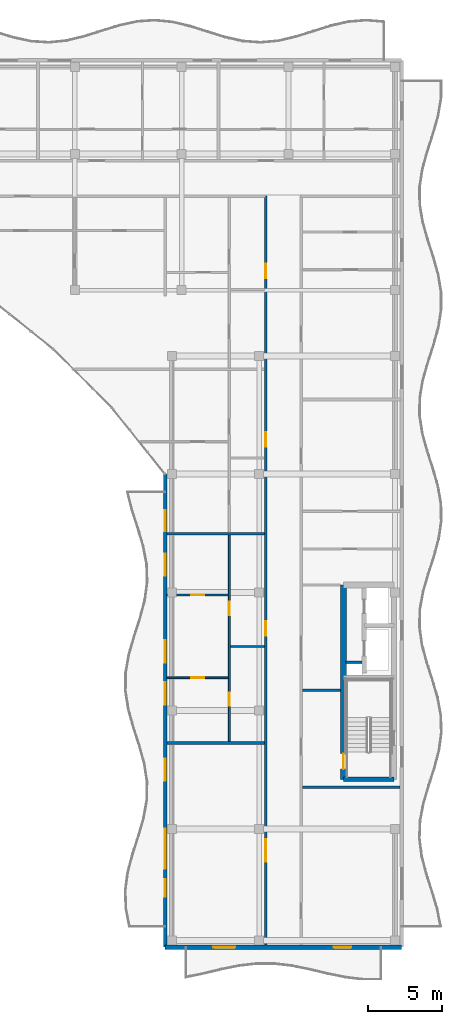
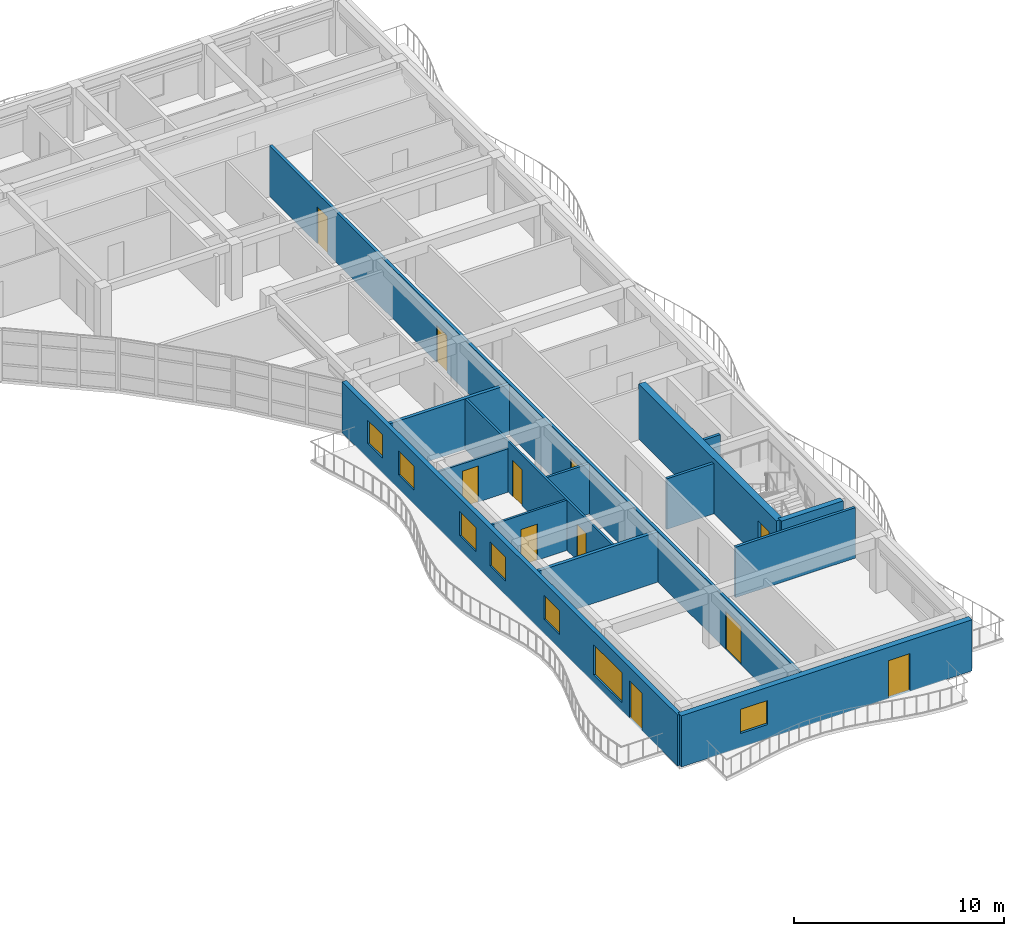
# One storey, part 42 of 71: 14 walls, 11 doors, 7 windows, 18 openings.
"""IFC4 building model written with IfcOpenShell, lengths in metres."""

from ifc_helpers import new_model, si_unit, direction, frame, frame_2d, origin, place, context, subcontext, project, spatial, rectangle, extrude, material, layer, layer_set, type_object, element, fill, save


model = new_model("IFC4")

# Units and contexts
model_context = context("Model", 3, precision=1e-05, world=origin(), true_north=direction((0.0, 1.0)))
body_context = subcontext(model_context, "Body", "Model", "MODEL_VIEW")
ifc_project = project(units=[si_unit("LENGTHUNIT", "METRE"), si_unit("AREAUNIT", "SQUARE_METRE"), si_unit("VOLUMEUNIT", "CUBIC_METRE"), si_unit("PLANEANGLEUNIT", "RADIAN"), si_unit("MASSUNIT", "GRAM", prefix="KILO")], contexts=[model_context])

# Site, building, storey
site_placement = place(None, origin())
site = spatial("IfcSite", under=ifc_project, at=site_placement, CompositionType="ELEMENT")
building_placement = place(site_placement, origin())
building = spatial("IfcBuilding", under=site, at=building_placement, Name="Keldmere Railside Commons", CompositionType="ELEMENT")
storey_placement = place(building_placement, frame((0.0, 0.0, 20.159912109375)))
storey = spatial("IfcBuildingStorey", under=building, at=storey_placement, Name="L06", CompositionType="ELEMENT", Elevation=20.159912109375)

# Walls
ifc_material_1 = material(Name="Acoustic Gypsum Board Partition", Category="gypsum")
ifc_layer_1 = layer(ifc_material_1, 0.179931640625, Name="Acoustic Demising Partition 180")
ifc_layer_set_1 = layer_set([ifc_layer_1], Name="Acoustic Gypsum Board Partition")
wall_type_1 = type_object("IfcWallType", Name="Acoustic Demising Partition 180", PredefinedType="PARTITIONING", material=ifc_layer_set_1)
for number, where, z_axis, x_axis, name in (
    (1, (168.1201171875, 69.81005859375, 0.0), (0.0, 0.0, 1.0), (1.0, 0.0, 0.0), "IW-1 IW-L06-1647"),
    (2, (168.1201171875, 83.969970703125, 0.0), (0.0, 0.0, 1.0), (1.0, 0.0, 0.0), "IW-1 IW-L06-1648"),
):
    element("IfcWall", number, at=place(storey_placement, frame(where, z_axis=z_axis, x_axis=x_axis)), inside=storey, type_object=wall_type_1, Name=name, PredefinedType="PARTITIONING", context=body_context, shape_type="SweptSolid", body=[
        extrude(rectangle(XDim=6.599853515625, YDim=0.179931640625, at=frame_2d((3.2998046875, 0.0))), origin(), (0.0, 0.0, 1.0), 2.93505859375),
    ])

# Wall, openings, doors
ifc_layer_2 = layer(ifc_material_1, 0.1201171875, Name="Apartment Interior Partition 120")
ifc_layer_set_2 = layer_set([ifc_layer_2], Name="Acoustic Gypsum Board Partition")
wall_type_2 = type_object("IfcWallType", Name="Apartment Interior Partition 120", PredefinedType="PARTITIONING", material=ifc_layer_set_2)
wall_1_placement = place(storey_placement, frame((172.340087890625, 69.89990234375, 0.0), z_axis=(0.0, 0.0, 1.0), x_axis=(0.0, 1.0, 0.0)))
wall_1 = element("IfcWall", 3, at=wall_1_placement, inside=storey, type_object=wall_type_2, Name="IW-4 IW-L06-1650", PredefinedType="PARTITIONING", context=body_context, shape_type="SweptSolid", body=[
    extrude(rectangle(XDim=13.97998046875, YDim=0.1201171875, at=frame_2d((6.989990234375, 0.0))), origin(), (0.0, 0.0, 1.0), 2.93505859375),
])
opening_1_placement = place(wall_1_placement, frame((2.443359375, 0.0, 0.0)))
opening_1 = element("IfcOpeningElement", 4, at=opening_1_placement, cuts=wall_1, Name="Opening ID-04", PredefinedType="OPENING", context=body_context, shape_type="SweptSolid", body=[
    extrude(rectangle(XDim=0.860107421875, YDim=2.10009765625, at=frame_2d((0.43017578125, 1.050048828125))), frame((0.0, 0.070068359375, 0.0), z_axis=(0.0, -1.0, 0.0), x_axis=(1.0, 0.0, 0.0)), (0.0, 0.0, 1.0), 0.14013671875),
])
opening_2_placement = place(wall_1_placement, frame((8.5439453125, 0.0, 0.0)))
opening_2 = element("IfcOpeningElement", 5, at=opening_2_placement, cuts=wall_1, Name="Opening ID-03", PredefinedType="OPENING", context=body_context, shape_type="SweptSolid", body=[
    extrude(rectangle(XDim=0.919921875, YDim=2.10009765625, at=frame_2d((0.4599609375, 1.050048828125))), frame((0.0, 0.070068359375, 0.0), z_axis=(0.0, -1.0, 0.0), x_axis=(1.0, 0.0, 0.0)), (0.0, 0.0, 1.0), 0.14013671875),
])
ifc_material_2 = material(Name="Engineered Oak Timber", Category="wood")
door_type_1 = type_object("IfcDoorType", Name="Apartment Bathroom Door 860x2100", OperationType="NOTDEFINED", PredefinedType="DOOR", material=ifc_material_2)
door_1_placement = place(opening_1_placement, origin())
door_1 = element("IfcDoor", 6, at=door_1_placement, inside=storey, type_object=door_type_1, Name="ID-04 IDR-L06-1491", OperationType="SINGLE_SWING_LEFT", OverallHeight=2.10009765625, OverallWidth=0.860107421875, PredefinedType="DOOR", context=body_context, shape_type="SweptSolid", body=[
    extrude(rectangle(XDim=0.860107421875, YDim=2.10009765625, at=frame_2d((0.43017578125, 1.050048828125))), frame((0.0, 0.02490234375, 0.0), z_axis=(0.0, -1.0, 0.0), x_axis=(1.0, 0.0, 0.0)), (0.0, 0.0, 1.0), 0.050048828125),
])
fill(opening_1, door_1)
door_type_2 = type_object("IfcDoorType", Name="Kitchen Pocket-Frame Swing Door 920x2100", OperationType="NOTDEFINED", PredefinedType="DOOR", material=ifc_material_2)
door_2_placement = place(opening_2_placement, origin())
door_2 = element("IfcDoor", 7, at=door_2_placement, inside=storey, type_object=door_type_2, Name="ID-03 IDR-L06-1492", OperationType="SINGLE_SWING_RIGHT", OverallHeight=2.10009765625, OverallWidth=0.919921875, PredefinedType="DOOR", context=body_context, shape_type="SweptSolid", body=[
    extrude(rectangle(XDim=0.919921875, YDim=2.10009765625, at=frame_2d((0.4599609375, 1.050048828125))), frame((0.0, 0.02490234375, 0.0), z_axis=(0.0, -1.0, 0.0), x_axis=(1.0, 0.0, 0.0)), (0.0, 0.0, 1.0), 0.050048828125),
])
fill(opening_2, door_2)

# Wall, opening, door
wall_2_placement = place(storey_placement, frame((168.1201171875, 74.22998046875, 0.0), z_axis=(0.0, 0.0, 1.0), x_axis=(1.0, 0.0, 0.0)))
wall_2 = element("IfcWall", 8, at=wall_2_placement, inside=storey, type_object=wall_type_2, Name="IW-4 IW-L06-1652", PredefinedType="PARTITIONING", context=body_context, shape_type="SweptSolid", body=[
    extrude(rectangle(XDim=4.159912109375, YDim=0.1201171875, at=frame_2d((2.080078125, 0.0))), origin(), (0.0, 0.0, 1.0), 2.93505859375),
])
opening_3_placement = place(wall_2_placement, frame((1.6298828125, 0.0, 0.0)))
opening_3 = element("IfcOpeningElement", 9, at=opening_3_placement, cuts=wall_2, Name="Opening ID-01", PredefinedType="OPENING", context=body_context, shape_type="SweptSolid", body=[
    extrude(rectangle(XDim=0.89990234375, YDim=2.10009765625, at=frame_2d((0.449951171875, 1.050048828125))), frame((0.0, 0.070068359375, 0.0), z_axis=(0.0, -1.0, 0.0), x_axis=(1.0, 0.0, 0.0)), (0.0, 0.0, 1.0), 0.14013671875),
])
door_type_3 = type_object("IfcDoorType", Name="Primary Bedroom Door 900x2100", OperationType="NOTDEFINED", PredefinedType="DOOR", material=ifc_material_2)
door_3_placement = place(opening_3_placement, origin())
door_3 = element("IfcDoor", 10, at=door_3_placement, inside=storey, type_object=door_type_3, Name="ID-01 IDR-L06-1494", OperationType="SINGLE_SWING_RIGHT", OverallHeight=2.10009765625, OverallWidth=0.89990234375, PredefinedType="DOOR", context=body_context, shape_type="SweptSolid", body=[
    extrude(rectangle(XDim=0.89990234375, YDim=2.10009765625, at=frame_2d((0.449951171875, 1.050048828125))), frame((0.0, 0.02490234375, 0.0), z_axis=(0.0, -1.0, 0.0), x_axis=(1.0, 0.0, 0.0)), (0.0, 0.0, 1.0), 0.050048828125),
])
fill(opening_3, door_3)

wall_3_placement = place(storey_placement, frame((168.1201171875, 79.830078125, 0.0), z_axis=(0.0, 0.0, 1.0), x_axis=(1.0, 0.0, 0.0)))
wall_3 = element("IfcWall", 11, at=wall_3_placement, inside=storey, type_object=wall_type_2, Name="IW-4 IW-L06-1653", PredefinedType="PARTITIONING", context=body_context, shape_type="SweptSolid", body=[
    extrude(rectangle(XDim=4.159912109375, YDim=0.1201171875, at=frame_2d((2.080078125, 0.0))), origin(), (0.0, 0.0, 1.0), 2.530029296875),
])
opening_4_placement = place(wall_3_placement, frame((1.639892578125, 0.0, 0.0)))
opening_4 = element("IfcOpeningElement", 12, at=opening_4_placement, cuts=wall_3, Name="Opening ID-02", PredefinedType="OPENING", context=body_context, shape_type="SweptSolid", body=[
    extrude(rectangle(XDim=0.8798828125, YDim=2.10009765625, at=frame_2d((0.43994140625, 1.050048828125))), frame((0.0, 0.070068359375, 0.0), z_axis=(0.0, -1.0, 0.0), x_axis=(1.0, 0.0, 0.0)), (0.0, 0.0, 1.0), 0.14013671875),
])
door_type_4 = type_object("IfcDoorType", Name="Secondary Bedroom Door 880x2100", OperationType="NOTDEFINED", PredefinedType="DOOR", material=ifc_material_2)
door_4_placement = place(opening_4_placement, origin())
door_4 = element("IfcDoor", 13, at=door_4_placement, inside=storey, type_object=door_type_4, Name="ID-02 IDR-L06-1495", OperationType="SINGLE_SWING_LEFT", OverallHeight=2.10009765625, OverallWidth=0.8798828125, PredefinedType="DOOR", context=body_context, shape_type="SweptSolid", body=[
    extrude(rectangle(XDim=0.8798828125, YDim=2.10009765625, at=frame_2d((0.43994140625, 1.050048828125))), frame((0.0, 0.02490234375, 0.0), z_axis=(0.0, -1.0, 0.0), x_axis=(1.0, 0.0, 0.0)), (0.0, 0.0, 1.0), 0.050048828125),
])
fill(opening_4, door_4)

ifc_material_3 = material(Name="Concrete H-40 (C40/50)", Category="concrete")
ifc_layer_3 = layer(ifc_material_3, 0.3798828125, Name="Core Shear Wall 380")
ifc_layer_set_3 = layer_set([ifc_layer_3], Name="Concrete H-40 (C40/50)")
wall_type_3 = type_object("IfcWallType", Name="Core Shear Wall 380", PredefinedType="SHEAR", material=ifc_layer_set_3)
wall_4_placement = place(storey_placement, frame((180.06005859375, 67.35009765625, 0.0), z_axis=(0.0, 0.0, 1.0), x_axis=(0.0, 1.0, 0.0)))
wall_4 = element("IfcWall", 14, at=wall_4_placement, inside=storey, type_object=wall_type_3, Name="CW-CORE COREAW-L06-0780", PredefinedType="SHEAR", context=body_context, shape_type="SweptSolid", body=[
    extrude(rectangle(XDim=13.14990234375, YDim=0.3798828125, at=frame_2d((6.574951171875, 0.0))), origin(), (0.0, 0.0, 1.0), 3.2001953125),
])
opening_5_placement = place(wall_4_placement, frame((0.699951171875, 0.0, 0.0)))
opening_5 = element("IfcOpeningElement", 15, at=opening_5_placement, cuts=wall_4, Name="Opening FD-1", PredefinedType="OPENING", context=body_context, shape_type="SweptSolid", body=[
    extrude(rectangle(XDim=1.050048828125, YDim=2.14990234375, at=frame_2d((0.52490234375, 1.074951171875))), frame((0.0, 0.199951171875, 0.0), z_axis=(0.0, -1.0, 0.0), x_axis=(1.0, 0.0, 0.0)), (0.0, 0.0, 1.0), 0.39990234375),
])
ifc_material_4 = material(Name="Steel F-24 (S235)", Category="steel")
door_type_5 = type_object("IfcDoorType", Name="Stair Core Fire Door 1050x2150", OperationType="NOTDEFINED", PredefinedType="DOOR", material=ifc_material_4)
door_5_placement = place(opening_5_placement, origin())
door_5 = element("IfcDoor", 16, at=door_5_placement, inside=storey, type_object=door_type_5, Name="FD-1 A1 L06", OperationType="SINGLE_SWING_LEFT", OverallHeight=2.14990234375, OverallWidth=1.050048828125, PredefinedType="DOOR", context=body_context, shape_type="SweptSolid", body=[
    extrude(rectangle(XDim=1.050048828125, YDim=2.14990234375, at=frame_2d((0.52490234375, 1.074951171875))), frame((0.0, 0.02490234375, 0.0), z_axis=(0.0, -1.0, 0.0), x_axis=(1.0, 0.0, 0.0)), (0.0, 0.0, 1.0), 0.050048828125),
])
fill(opening_5, door_5)

# Wall, openings, doors
ifc_layer_4 = layer(ifc_material_1, 0.159912109375, Name="Corridor Fire Partition 160")
ifc_layer_set_4 = layer_set([ifc_layer_4], Name="Acoustic Gypsum Board Partition")
wall_type_4 = type_object("IfcWallType", Name="Corridor Fire Partition 160", PredefinedType="PARTITIONING", material=ifc_layer_set_4)
wall_5_placement = place(storey_placement, frame((174.800048828125, 56.159912109375, 0.0), z_axis=(0.0, 0.0, 1.0), x_axis=(0.0, 1.0, 0.0)))
wall_5 = element("IfcWall", 17, at=wall_5_placement, inside=storey, type_object=wall_type_4, Name="IW-2 IW-L06-1639", PredefinedType="PARTITIONING", context=body_context, shape_type="SweptSolid", body=[
    extrude(rectangle(XDim=50.64013671875, YDim=0.159912109375, at=frame_2d((25.320068359375, 0.0))), origin(), (0.0, 0.0, 1.0), 2.93505859375),
])
opening_6_placement = place(wall_5_placement, frame((5.6298828125, 0.0, 0.0)))
opening_6 = element("IfcOpeningElement", 18, at=opening_6_placement, cuts=wall_5, Name="Opening ID-07", PredefinedType="OPENING", context=body_context, shape_type="SweptSolid", body=[
    extrude(rectangle(XDim=1.5, YDim=2.199951171875, at=frame_2d((0.75, 1.10009765625))), frame((0.0, 0.08984375, 0.0), z_axis=(0.0, -1.0, 0.0), x_axis=(1.0, 0.0, 0.0)), (0.0, 0.0, 1.0), 0.179931640625),
])
opening_7_placement = place(wall_5_placement, frame((20.919921875, 0.0, 0.0)))
opening_7 = element("IfcOpeningElement", 19, at=opening_7_placement, cuts=wall_5, Name="Opening FD-7", PredefinedType="OPENING", context=body_context, shape_type="SweptSolid", body=[
    extrude(rectangle(XDim=0.97998046875, YDim=2.14990234375, at=frame_2d((0.489990234375, 1.074951171875))), frame((0.0, 0.08984375, 0.0), z_axis=(0.0, -1.0, 0.0), x_axis=(1.0, 0.0, 0.0)), (0.0, 0.0, 1.0), 0.179931640625),
])
opening_8_placement = place(wall_5_placement, frame((33.679931640625, 0.0, 0.0)))
opening_8 = element("IfcOpeningElement", 20, at=opening_8_placement, cuts=wall_5, Name="Opening FD-7", PredefinedType="OPENING", context=body_context, shape_type="SweptSolid", body=[
    extrude(rectangle(XDim=0.97998046875, YDim=2.14990234375, at=frame_2d((0.489990234375, 1.074951171875))), frame((0.0, 0.08984375, 0.0), z_axis=(0.0, -1.0, 0.0), x_axis=(1.0, 0.0, 0.0)), (0.0, 0.0, 1.0), 0.179931640625),
])
opening_9_placement = place(wall_5_placement, frame((45.080078125, 0.0, 0.0)))
opening_9 = element("IfcOpeningElement", 21, at=opening_9_placement, cuts=wall_5, Name="Opening FD-7", PredefinedType="OPENING", context=body_context, shape_type="SweptSolid", body=[
    extrude(rectangle(XDim=0.97998046875, YDim=2.14990234375, at=frame_2d((0.489990234375, 1.074951171875))), frame((0.0, 0.08984375, 0.0), z_axis=(0.0, -1.0, 0.0), x_axis=(1.0, 0.0, 0.0)), (0.0, 0.0, 1.0), 0.179931640625),
])
door_type_6 = type_object("IfcDoorType", Name="Apartment Entrance Acoustic Fire Door 980x2150", OperationType="NOTDEFINED", PredefinedType="DOOR", material=ifc_material_2)
door_6_placement = place(opening_7_placement, origin())
door_6 = element("IfcDoor", 22, at=door_6_placement, inside=storey, type_object=door_type_6, Name="FD-7 IDR-L06-1493", OperationType="SINGLE_SWING_LEFT", OverallHeight=2.14990234375, OverallWidth=0.97998046875, PredefinedType="DOOR", context=body_context, shape_type="SweptSolid", body=[
    extrude(rectangle(XDim=0.97998046875, YDim=2.14990234375, at=frame_2d((0.489990234375, 1.074951171875))), frame((0.0, 0.02490234375, 0.0), z_axis=(0.0, -1.0, 0.0), x_axis=(1.0, 0.0, 0.0)), (0.0, 0.0, 1.0), 0.050048828125),
])
fill(opening_7, door_6)
door_7_placement = place(opening_8_placement, origin())
door_7 = element("IfcDoor", 23, at=door_7_placement, inside=storey, type_object=door_type_6, Name="FD-7 IDR-L06-1498", OperationType="SINGLE_SWING_RIGHT", OverallHeight=2.14990234375, OverallWidth=0.97998046875, PredefinedType="DOOR", context=body_context, shape_type="SweptSolid", body=[
    extrude(rectangle(XDim=0.97998046875, YDim=2.14990234375, at=frame_2d((0.489990234375, 1.074951171875))), frame((0.0, 0.02490234375, 0.0), z_axis=(0.0, -1.0, 0.0), x_axis=(1.0, 0.0, 0.0)), (0.0, 0.0, 1.0), 0.050048828125),
])
fill(opening_8, door_7)
door_8_placement = place(opening_9_placement, origin())
door_8 = element("IfcDoor", 24, at=door_8_placement, inside=storey, type_object=door_type_6, Name="FD-7 IDR-L06-1502", OperationType="SINGLE_SWING_RIGHT", OverallHeight=2.14990234375, OverallWidth=0.97998046875, PredefinedType="DOOR", context=body_context, shape_type="SweptSolid", body=[
    extrude(rectangle(XDim=0.97998046875, YDim=2.14990234375, at=frame_2d((0.489990234375, 1.074951171875))), frame((0.0, 0.02490234375, 0.0), z_axis=(0.0, -1.0, 0.0), x_axis=(1.0, 0.0, 0.0)), (0.0, 0.0, 1.0), 0.050048828125),
])
fill(opening_9, door_8)
door_type_7 = type_object("IfcDoorType", Name="Resident Lounge Double Door 1500x2200", OperationType="DOUBLE_DOOR_SINGLE_SWING", PredefinedType="DOOR", material=ifc_material_2)
door_9_placement = place(opening_6_placement, origin())
door_9 = element("IfcDoor", 25, at=door_9_placement, inside=storey, type_object=door_type_7, Name="ID-07 IDR-L06-1490", OperationType="DOUBLE_DOOR_SINGLE_SWING", OverallHeight=2.199951171875, OverallWidth=1.5, PredefinedType="DOOR", context=body_context, shape_type="SweptSolid", body=[
    extrude(rectangle(XDim=1.5, YDim=2.199951171875, at=frame_2d((0.75, 1.10009765625))), frame((0.0, 0.02490234375, 0.0), z_axis=(0.0, -1.0, 0.0), x_axis=(1.0, 0.0, 0.0)), (0.0, 0.0, 1.0), 0.050048828125),
])
fill(opening_6, door_9)

# Wall, openings, door, window
ifc_material_5 = material(Name="Concrete H-35 (C35/45)", Category="concrete")
ifc_layer_5 = layer(ifc_material_5, 0.320068359375, Name="Exterior Shear Wall 320")
ifc_layer_set_5 = layer_set([ifc_layer_5], Name="Concrete H-35 (C35/45)")
wall_type_5 = type_object("IfcWallType", Name="Exterior Shear Wall 320", PredefinedType="SHEAR", material=ifc_layer_set_5)
wall_6_placement = place(storey_placement, frame((184.0, 56.0, 0.0), z_axis=(0.0, 0.0, 1.0), x_axis=(-1.0, 0.0, 0.0)))
wall_6 = element("IfcWall", 26, at=wall_6_placement, inside=storey, type_object=wall_type_5, Name="ESW-2 EXTA-L06-0917", PredefinedType="SHEAR", context=body_context, shape_type="SweptSolid", body=[
    extrude(rectangle(XDim=16.0, YDim=0.320068359375, at=frame_2d((8.0, 0.0))), origin(), (0.0, 0.0, 1.0), 2.97998046875),
])
opening_10_placement = place(wall_6_placement, frame((3.39990234375, 0.0, 0.0)))
opening_10 = element("IfcOpeningElement", 27, at=opening_10_placement, cuts=wall_6, Name="Opening BD-01", PredefinedType="OPENING", context=body_context, shape_type="SweptSolid", body=[
    extrude(rectangle(XDim=1.199951171875, YDim=2.199951171875, at=frame_2d((0.60009765625, 1.10009765625))), frame((0.0, 0.169921875, 0.0), z_axis=(0.0, -1.0, 0.0), x_axis=(1.0, 0.0, 0.0)), (0.0, 0.0, 1.0), 0.340087890625),
])
opening_11_placement = place(wall_6_placement, frame((11.25, 0.0, 0.820068359375)))
opening_11 = element("IfcOpeningElement", 28, at=opening_11_placement, cuts=wall_6, Name="Opening WN-06", PredefinedType="OPENING", context=body_context, shape_type="SweptSolid", body=[
    extrude(rectangle(XDim=1.5, YDim=1.39990234375, at=frame_2d((0.75, 0.699951171875))), frame((0.0, 0.169921875, 0.0), z_axis=(0.0, -1.0, 0.0), x_axis=(1.0, 0.0, 0.0)), (0.0, 0.0, 1.0), 0.340087890625),
])
ifc_material_6 = material(Name="Thermally Broken Aluminium", Category="aluminium")
door_type_8 = type_object("IfcDoorType", Name="Apartment Living Wave-Balcony Glazed Door 1200x2200", OperationType="NOTDEFINED", PredefinedType="DOOR", material=ifc_material_6)
door_10_placement = place(opening_10_placement, origin())
door_10 = element("IfcDoor", 29, at=door_10_placement, inside=storey, type_object=door_type_8, Name="BD-01 DR-L06-0250", OperationType="SINGLE_SWING_RIGHT", OverallHeight=2.199951171875, OverallWidth=1.199951171875, PredefinedType="DOOR", context=body_context, shape_type="SweptSolid", body=[
    extrude(rectangle(XDim=1.199951171875, YDim=2.199951171875, at=frame_2d((0.60009765625, 1.10009765625))), frame((0.0, 0.02490234375, 0.0), z_axis=(0.0, -1.0, 0.0), x_axis=(1.0, 0.0, 0.0)), (0.0, 0.0, 1.0), 0.050048828125),
])
fill(opening_10, door_10)
ifc_material_7 = material(Name="Low-E Insulated Double Glazing", Category="glass")
window_type_1 = type_object("IfcWindowType", Name="Primary Bedroom North Window 1500x1400", PartitioningType="SINGLE_PANEL", PredefinedType="WINDOW", material=ifc_material_7)
window_1_placement = place(opening_11_placement, origin())
window_1 = element("IfcWindow", 30, at=window_1_placement, inside=storey, type_object=window_type_1, Name="WN-06 WIN-L06-0683", OverallHeight=1.39990234375, OverallWidth=1.5, PartitioningType="SINGLE_PANEL", PredefinedType="WINDOW", context=body_context, shape_type="SweptSolid", body=[
    extrude(rectangle(XDim=1.5, YDim=1.39990234375, at=frame_2d((0.75, 0.699951171875))), frame((0.0, 0.030029296875, 0.0), z_axis=(0.0, -1.0, 0.0), x_axis=(1.0, 0.0, 0.0)), (0.0, 0.0, 1.0), 0.06005859375),
])
fill(opening_11, window_1)

# Walls
ifc_layer_6 = layer(ifc_material_5, 0.300048828125, Name="Interior Shear Wall 300")
ifc_layer_set_6 = layer_set([ifc_layer_6], Name="Concrete H-35 (C35/45)")
wall_type_6 = type_object("IfcWallType", Name="Interior Shear Wall 300", PredefinedType="SHEAR", material=ifc_layer_set_6)
wall_7_placement = place(storey_placement, frame((183.469970703125, 67.35009765625, 0.0), z_axis=(0.0, 0.0, 1.0), x_axis=(-1.0, 0.0, 0.0)))
element("IfcWall", 31, at=wall_7_placement, inside=storey, type_object=wall_type_6, Name="ISW-2 COREAS-L06-0783", PredefinedType="SHEAR", context=body_context, shape_type="SweptSolid", body=[
    extrude(rectangle(XDim=3.409912109375, YDim=0.300048828125, at=frame_2d((1.705078125, 0.0))), origin(), (0.0, 0.0, 1.0), 3.2001953125),
])
ifc_layer_7 = layer(ifc_material_1, 0.14990234375, Name="Lobby Rated Partition 150")
ifc_layer_set_7 = layer_set([ifc_layer_7], Name="Acoustic Gypsum Board Partition")
wall_type_7 = type_object("IfcWallType", Name="Lobby Rated Partition 150", PredefinedType="PARTITIONING", material=ifc_layer_set_7)
wall_8_placement = place(storey_placement, frame((180.199951171875, 75.280029296875, 0.0), z_axis=(0.0, 0.0, 1.0), x_axis=(1.0, 0.0, 0.0)))
element("IfcWall", 32, at=wall_8_placement, inside=storey, type_object=wall_type_7, Name="IW-3 RSRNA-L06-0787", PredefinedType="PARTITIONING", context=body_context, shape_type="SweptSolid", body=[
    extrude(rectangle(XDim=1.130126953125, YDim=0.14990234375, at=frame_2d((0.56494140625, 0.0))), origin(), (0.0, 0.0, 1.0), 2.9501953125),
])
wall_9_placement = place(storey_placement, frame((177.280029296875, 66.820068359375, 0.0), z_axis=(0.0, 0.0, 1.0), x_axis=(1.0, 0.0, 0.0)))
element("IfcWall", 33, at=wall_9_placement, inside=storey, type_object=wall_type_7, Name="IW-3 IW-L06-1636", PredefinedType="PARTITIONING", context=body_context, shape_type="SweptSolid", body=[
    extrude(rectangle(XDim=6.599853515625, YDim=0.14990234375, at=frame_2d((3.2998046875, 0.0))), origin(), (0.0, 0.0, 1.0), 2.93505859375),
])
wall_10_placement = place(storey_placement, frame((177.280029296875, 73.3798828125, 0.0), z_axis=(0.0, 0.0, 1.0), x_axis=(1.0, 0.0, 0.0)))
element("IfcWall", 34, at=wall_10_placement, inside=storey, type_object=wall_type_7, Name="IW-3 IW-L06-1637", PredefinedType="PARTITIONING", context=body_context, shape_type="SweptSolid", body=[
    extrude(rectangle(XDim=2.590087890625, YDim=0.14990234375, at=frame_2d((1.294921875, 0.0))), origin(), (0.0, 0.0, 1.0), 2.93505859375),
])

# Wall, openings, door, windows
ifc_material_8 = material(Name="Architectural Precast Concrete H-35 (C35/45)", Category="concrete")
ifc_layer_8 = layer(ifc_material_8, 0.239990234375, Name="Sand-Ochre Precast Cavity Wall 240")
ifc_layer_set_8 = layer_set([ifc_layer_8], Name="Architectural Precast Concrete H-35 (C35/45)")
wall_type_8 = type_object("IfcWallType", Name="Sand-Ochre Precast Cavity Wall 240", PredefinedType="SOLIDWALL", material=ifc_layer_set_8)
wall_11_placement = place(storey_placement, frame((168.0, 56.0, 0.0), z_axis=(0.0, 0.0, 1.0), x_axis=(0.0, 1.0, 0.0)))
wall_11 = element("IfcWall", 35, at=wall_11_placement, inside=storey, type_object=wall_type_8, Name="EW-2 EXTA-L06-0922", PredefinedType="SOLIDWALL", context=body_context, shape_type="SweptSolid", body=[
    extrude(rectangle(XDim=32.0, YDim=0.239990234375, at=frame_2d((16.0, 0.0))), origin(), (0.0, 0.0, 1.0), 2.97998046875),
])
opening_12_placement = place(wall_11_placement, frame((3.39990234375, 0.0, 0.0)))
opening_12 = element("IfcOpeningElement", 36, at=opening_12_placement, cuts=wall_11, Name="Opening BD-01", PredefinedType="OPENING", context=body_context, shape_type="SweptSolid", body=[
    extrude(rectangle(XDim=1.199951171875, YDim=2.199951171875, at=frame_2d((0.60009765625, 1.10009765625))), frame((0.0, 0.1298828125, 0.0), z_axis=(0.0, -1.0, 0.0), x_axis=(1.0, 0.0, 0.0)), (0.0, 0.0, 1.0), 0.260009765625),
])
opening_13_placement = place(wall_11_placement, frame((5.300048828125, 0.0, 0.469970703125)))
opening_13 = element("IfcOpeningElement", 37, at=opening_13_placement, cuts=wall_11, Name="Opening WN-19", PredefinedType="OPENING", context=body_context, shape_type="SweptSolid", body=[
    extrude(rectangle(XDim=2.699951171875, YDim=1.75, at=frame_2d((1.35009765625, 0.875))), frame((0.0, 0.1298828125, 0.0), z_axis=(0.0, -1.0, 0.0), x_axis=(1.0, 0.0, 0.0)), (0.0, 0.0, 1.0), 0.260009765625),
])
opening_14_placement = place(wall_11_placement, frame((11.25, 0.0, 0.820068359375)))
opening_14 = element("IfcOpeningElement", 38, at=opening_14_placement, cuts=wall_11, Name="Opening WN-06", PredefinedType="OPENING", context=body_context, shape_type="SweptSolid", body=[
    extrude(rectangle(XDim=1.5, YDim=1.39990234375, at=frame_2d((0.75, 0.699951171875))), frame((0.0, 0.1298828125, 0.0), z_axis=(0.0, -1.0, 0.0), x_axis=(1.0, 0.0, 0.0)), (0.0, 0.0, 1.0), 0.260009765625),
])
opening_15_placement = place(wall_11_placement, frame((19.22509765625, 0.0, 0.820068359375)))
opening_15 = element("IfcOpeningElement", 39, at=opening_15_placement, cuts=wall_11, Name="Opening WN-07", PredefinedType="OPENING", context=body_context, shape_type="SweptSolid", body=[
    extrude(rectangle(XDim=1.550048828125, YDim=1.39990234375, at=frame_2d((0.77490234375, 0.699951171875))), frame((0.0, 0.1298828125, 0.0), z_axis=(0.0, -1.0, 0.0), x_axis=(1.0, 0.0, 0.0)), (0.0, 0.0, 1.0), 0.260009765625),
])
opening_16_placement = place(wall_11_placement, frame((28.14990234375, 0.0, 0.8701171875)))
opening_16 = element("IfcOpeningElement", 40, at=opening_16_placement, cuts=wall_11, Name="Opening WN-08", PredefinedType="OPENING", context=body_context, shape_type="SweptSolid", body=[
    extrude(rectangle(XDim=1.39990234375, YDim=1.35009765625, at=frame_2d((0.699951171875, 0.675048828125))), frame((0.0, 0.1298828125, 0.0), z_axis=(0.0, -1.0, 0.0), x_axis=(1.0, 0.0, 0.0)), (0.0, 0.0, 1.0), 0.260009765625),
])
opening_17_placement = place(wall_11_placement, frame((16.408203125, 0.0, 0.820068359375)))
opening_17 = element("IfcOpeningElement", 41, at=opening_17_placement, cuts=wall_11, Name="Opening WN-06", PredefinedType="OPENING", context=body_context, shape_type="SweptSolid", body=[
    extrude(rectangle(XDim=1.5, YDim=1.39990234375, at=frame_2d((0.75, 0.699951171875))), frame((0.0, 0.1298828125, 0.0), z_axis=(0.0, -1.0, 0.0), x_axis=(1.0, 0.0, 0.0)), (0.0, 0.0, 1.0), 0.260009765625),
])
opening_18_placement = place(wall_11_placement, frame((25.1298828125, 0.0, 0.820068359375)))
opening_18 = element("IfcOpeningElement", 42, at=opening_18_placement, cuts=wall_11, Name="Opening WN-06", PredefinedType="OPENING", context=body_context, shape_type="SweptSolid", body=[
    extrude(rectangle(XDim=1.5, YDim=1.39990234375, at=frame_2d((0.75, 0.699951171875))), frame((0.0, 0.1298828125, 0.0), z_axis=(0.0, -1.0, 0.0), x_axis=(1.0, 0.0, 0.0)), (0.0, 0.0, 1.0), 0.260009765625),
])
door_11_placement = place(opening_12_placement, origin())
door_11 = element("IfcDoor", 43, at=door_11_placement, inside=storey, type_object=door_type_8, Name="BD-01 DR-L06-0255", OperationType="SINGLE_SWING_LEFT", OverallHeight=2.199951171875, OverallWidth=1.199951171875, PredefinedType="DOOR", context=body_context, shape_type="SweptSolid", body=[
    extrude(rectangle(XDim=1.199951171875, YDim=2.199951171875, at=frame_2d((0.60009765625, 1.10009765625))), frame((0.0, 0.02490234375, 0.0), z_axis=(0.0, -1.0, 0.0), x_axis=(1.0, 0.0, 0.0)), (0.0, 0.0, 1.0), 0.050048828125),
])
fill(opening_12, door_11)
window_type_2 = type_object("IfcWindowType", Name="Primary Bedroom East/West Window 1400x1350", PartitioningType="SINGLE_PANEL", PredefinedType="WINDOW", material=ifc_material_7)
window_2_placement = place(opening_16_placement, origin())
window_2 = element("IfcWindow", 44, at=window_2_placement, inside=storey, type_object=window_type_2, Name="WN-08 WIN-L06-0700", OverallHeight=1.35009765625, OverallWidth=1.39990234375, PartitioningType="SINGLE_PANEL", PredefinedType="WINDOW", context=body_context, shape_type="SweptSolid", body=[
    extrude(rectangle(XDim=1.39990234375, YDim=1.35009765625, at=frame_2d((0.699951171875, 0.675048828125))), frame((0.0, 0.030029296875, 0.0), z_axis=(0.0, -1.0, 0.0), x_axis=(1.0, 0.0, 0.0)), (0.0, 0.0, 1.0), 0.06005859375),
])
fill(opening_16, window_2)
window_3_placement = place(opening_14_placement, origin())
window_3 = element("IfcWindow", 45, at=window_3_placement, inside=storey, type_object=window_type_1, Name="WN-06 WIN-L06-0698", OverallHeight=1.39990234375, OverallWidth=1.5, PartitioningType="SINGLE_PANEL", PredefinedType="WINDOW", context=body_context, shape_type="SweptSolid", body=[
    extrude(rectangle(XDim=1.5, YDim=1.39990234375, at=frame_2d((0.75, 0.699951171875))), frame((0.0, 0.030029296875, 0.0), z_axis=(0.0, -1.0, 0.0), x_axis=(1.0, 0.0, 0.0)), (0.0, 0.0, 1.0), 0.06005859375),
])
fill(opening_14, window_3)
window_4_placement = place(opening_17_placement, origin())
window_4 = element("IfcWindow", 46, at=window_4_placement, inside=storey, type_object=window_type_1, Name="WN-06 WIN-L06-9055", OverallHeight=1.39990234375, OverallWidth=1.5, PartitioningType="SINGLE_PANEL", PredefinedType="WINDOW", context=body_context, shape_type="SweptSolid", body=[
    extrude(rectangle(XDim=1.5, YDim=1.39990234375, at=frame_2d((0.75, 0.699951171875))), frame((0.0, 0.030029296875, 0.0), z_axis=(0.0, -1.0, 0.0), x_axis=(1.0, 0.0, 0.0)), (0.0, 0.0, 1.0), 0.06005859375),
])
fill(opening_17, window_4)
window_5_placement = place(opening_18_placement, origin())
window_5 = element("IfcWindow", 47, at=window_5_placement, inside=storey, type_object=window_type_1, Name="WN-06 WIN-L06-9056", OverallHeight=1.39990234375, OverallWidth=1.5, PartitioningType="SINGLE_PANEL", PredefinedType="WINDOW", context=body_context, shape_type="SweptSolid", body=[
    extrude(rectangle(XDim=1.5, YDim=1.39990234375, at=frame_2d((0.75, 0.699951171875))), frame((0.0, 0.030029296875, 0.0), z_axis=(0.0, -1.0, 0.0), x_axis=(1.0, 0.0, 0.0)), (0.0, 0.0, 1.0), 0.06005859375),
])
fill(opening_18, window_5)
window_type_3 = type_object("IfcWindowType", Name="Primary Bedroom South Window 1550x1400", PartitioningType="SINGLE_PANEL", PredefinedType="WINDOW", material=ifc_material_7)
window_6_placement = place(opening_15_placement, origin())
window_6 = element("IfcWindow", 48, at=window_6_placement, inside=storey, type_object=window_type_3, Name="WN-07 WIN-L06-0699", OverallHeight=1.39990234375, OverallWidth=1.550048828125, PartitioningType="SINGLE_PANEL", PredefinedType="WINDOW", context=body_context, shape_type="SweptSolid", body=[
    extrude(rectangle(XDim=1.550048828125, YDim=1.39990234375, at=frame_2d((0.77490234375, 0.699951171875))), frame((0.0, 0.030029296875, 0.0), z_axis=(0.0, -1.0, 0.0), x_axis=(1.0, 0.0, 0.0)), (0.0, 0.0, 1.0), 0.06005859375),
])
fill(opening_15, window_6)
window_type_4 = type_object("IfcWindowType", Name="Resident Lounge Panorama Window 2700x1750", PartitioningType="SINGLE_PANEL", PredefinedType="WINDOW", material=ifc_material_7)
window_7_placement = place(opening_13_placement, origin())
window_7 = element("IfcWindow", 49, at=window_7_placement, inside=storey, type_object=window_type_4, Name="WN-19 WIN-L06-0697", OverallHeight=1.75, OverallWidth=2.699951171875, PartitioningType="SINGLE_PANEL", PredefinedType="WINDOW", context=body_context, shape_type="SweptSolid", body=[
    extrude(rectangle(XDim=2.699951171875, YDim=1.75, at=frame_2d((1.35009765625, 0.875))), frame((0.0, 0.030029296875, 0.0), z_axis=(0.0, -1.0, 0.0), x_axis=(1.0, 0.0, 0.0)), (0.0, 0.0, 1.0), 0.06005859375),
])
fill(opening_13, window_7)

# Wall
ifc_layer_9 = layer(ifc_material_1, 0.139892578125, Name="Wet-Room Sanitary Partition 140")
ifc_layer_set_9 = layer_set([ifc_layer_9], Name="Acoustic Gypsum Board Partition")
wall_type_9 = type_object("IfcWallType", Name="Wet-Room Sanitary Partition 140", PredefinedType="PARTITIONING", material=ifc_layer_set_9)
wall_12_placement = place(storey_placement, frame((172.39990234375, 76.330078125, 0.0), z_axis=(0.0, 0.0, 1.0), x_axis=(1.0, 0.0, 0.0)))
element("IfcWall", 50, at=wall_12_placement, inside=storey, type_object=wall_type_9, Name="IW-5 IW-L06-1651", PredefinedType="PARTITIONING", context=body_context, shape_type="SweptSolid", body=[
    extrude(rectangle(XDim=2.320068359375, YDim=0.139892578125, at=frame_2d((1.16015625, 0.0))), origin(), (0.0, 0.0, 1.0), 2.93505859375),
])

save(model, "model.ifc")
